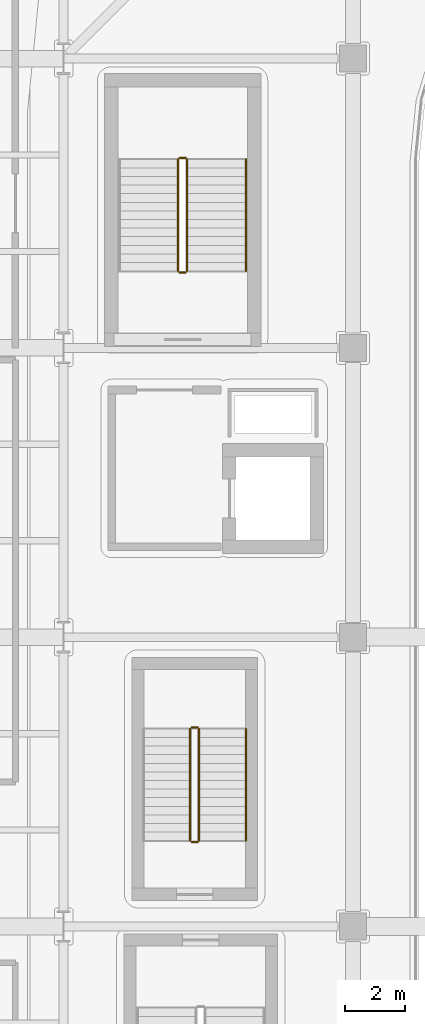
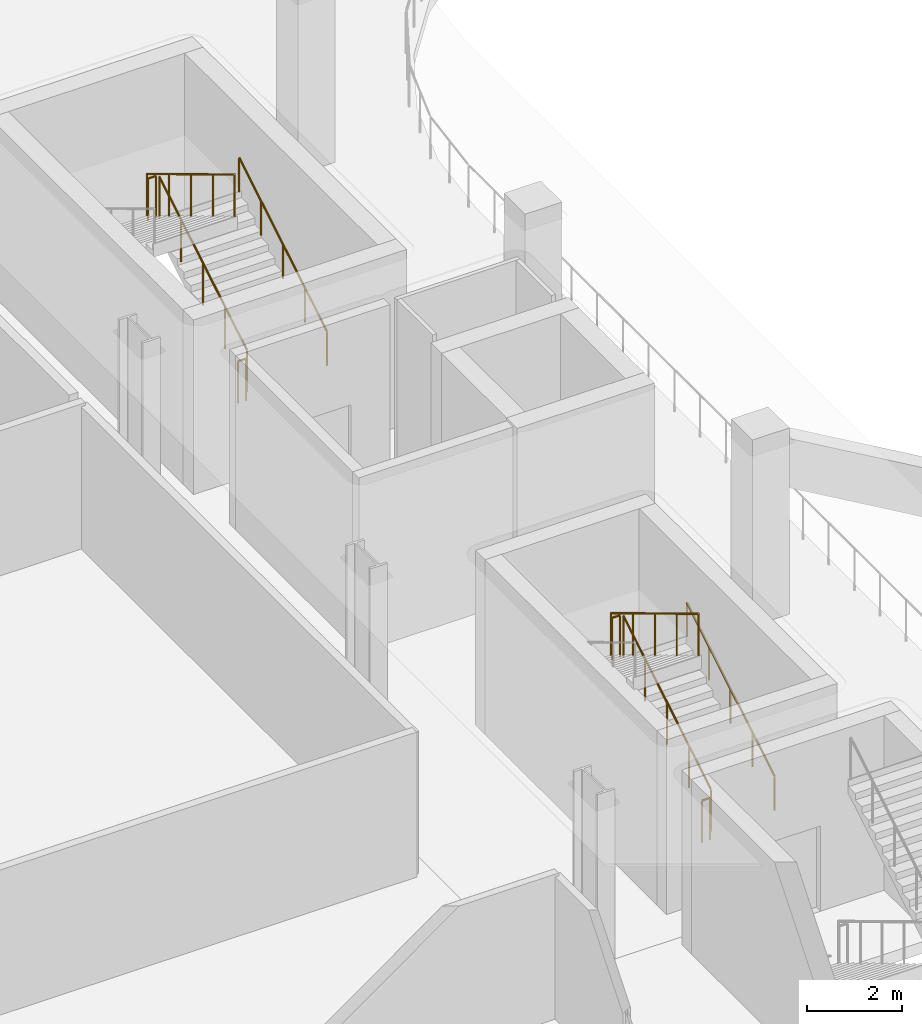
# One storey, part 83 of 100: 10 railings.
"""IFC4 building model written with IfcOpenShell, lengths in metres."""

from ifc_helpers import new_model, si_unit, direction, frame, origin, origin_2d, place, context, subcontext, project, spatial, circle, extrude, material, type_object, element, save


model = new_model("IFC4")

# Units and contexts
model_context = context("Model", 3, precision=1e-05, world=origin(), true_north=direction((0.0, 1.0)))
body_context = subcontext(model_context, "Body", "Model", "MODEL_VIEW")
ifc_project = project(units=[si_unit("LENGTHUNIT", "METRE"), si_unit("AREAUNIT", "SQUARE_METRE"), si_unit("VOLUMEUNIT", "CUBIC_METRE"), si_unit("PLANEANGLEUNIT", "RADIAN"), si_unit("MASSUNIT", "GRAM", prefix="KILO")], contexts=[model_context])

# Site, building, storey
site_placement = place(None, origin())
site = spatial("IfcSite", under=ifc_project, at=site_placement, CompositionType="ELEMENT")
building_placement = place(site_placement, origin())
building = spatial("IfcBuilding", under=site, at=building_placement, Name="Caelomonte Colonnade Arena", CompositionType="ELEMENT")
storey_placement = place(building_placement, origin())
storey = spatial("IfcBuildingStorey", under=building, at=storey_placement, Name="L00", CompositionType="ELEMENT", Elevation=0.0)

# Railings
ifc_material_1 = material(Name="Painted galvanized steel stair guard", Category="steel")
railing_type_1 = type_object("IfcRailingType", Name="INT-RL-GRD", PredefinedType="GUARDRAIL", material=ifc_material_1)
railing_1_placement = place(storey_placement, frame((61.699951171875, 88.949951171875, 0.17138671875)))
element("IfcRailing", 1, at=railing_1_placement, inside=storey, type_object=railing_type_1, Name="L00 ST-04 stair guard 1", PredefinedType="GUARDRAIL", context=body_context, shape_type="SweptSolid", body=[
    extrude(circle(Radius=0.02392578125, at=origin_2d()), frame((0.0, 0.0, 1.076171875), z_axis=(0.0, 0.856934400257, 0.515425487977), x_axis=(-1.0, 0.0, 0.0)), (0.0, 0.0, 1.0), 4.32373046875),
    extrude(circle(Radius=0.02099609375, at=origin_2d()), origin(), (0.0, 0.0, 1.0), 1.048095703125),
    extrude(circle(Radius=0.02099609375, at=origin_2d()), frame((0.0, 0.92626953125, 0.55712890625)), (0.0, 0.0, 1.0), 1.048095703125),
    extrude(circle(Radius=0.02099609375, at=origin_2d()), frame((0.0, 1.8525390625, 1.1142578125)), (0.0, 0.0, 1.0), 1.048095703125),
    extrude(circle(Radius=0.02099609375, at=origin_2d()), frame((0.0, 2.77880859375, 1.67138671875)), (0.0, 0.0, 1.0), 1.048095703125),
    extrude(circle(Radius=0.02099609375, at=origin_2d()), frame((0.0, 3.705078125, 2.228515625)), (0.0, 0.0, 1.0), 1.048095703125),
])
railing_2_placement = place(storey_placement, frame((61.64990234375, 92.705078125, 2.39990234375)))
element("IfcRailing", 2, at=railing_2_placement, inside=storey, type_object=railing_type_1, Name="L00 ST-04 stair guard 2", PredefinedType="GUARDRAIL", context=body_context, shape_type="SweptSolid", body=[
    extrude(circle(Radius=0.02392578125, at=origin_2d()), frame((0.0, 0.0, 1.076171875), z_axis=(-1.0, 0.0, 0.0), x_axis=(0.0, -1.0, 0.0)), (0.0, 0.0, 1.0), 0.199951171875),
    extrude(circle(Radius=0.02099609375, at=origin_2d()), origin(), (0.0, 0.0, 1.0), 1.048095703125),
    extrude(circle(Radius=0.02099609375, at=origin_2d()), frame((-0.199951171875, 0.0, 0.0)), (0.0, 0.0, 1.0), 1.048095703125),
])
railing_3_placement = place(storey_placement, frame((61.39990234375, 92.655029296875, 2.571533203125)))
element("IfcRailing", 3, at=railing_3_placement, inside=storey, type_object=railing_type_1, Name="L00 ST-04 stair guard 3", PredefinedType="GUARDRAIL", context=body_context, shape_type="SweptSolid", body=[
    extrude(circle(Radius=0.02392578125, at=origin_2d()), frame((0.0, 0.0, 1.076171875), z_axis=(0.0, -0.856934400257, 0.515425487977), x_axis=(1.0, 0.0, 0.0)), (0.0, 0.0, 1.0), 4.32373046875),
    extrude(circle(Radius=0.02099609375, at=origin_2d()), origin(), (0.0, 0.0, 1.0), 1.048095703125),
    extrude(circle(Radius=0.02099609375, at=origin_2d()), frame((0.0, -0.92626953125, 0.55712890625)), (0.0, 0.0, 1.0), 1.048095703125),
    extrude(circle(Radius=0.02099609375, at=origin_2d()), frame((0.0, -1.8525390625, 1.1142578125)), (0.0, 0.0, 1.0), 1.048095703125),
    extrude(circle(Radius=0.02099609375, at=origin_2d()), frame((0.0, -2.77880859375, 1.67138671875)), (0.0, 0.0, 1.0), 1.048095703125),
    extrude(circle(Radius=0.02099609375, at=origin_2d()), frame((0.0, -3.705078125, 2.228515625)), (0.0, 0.0, 1.0), 1.048095703125),
])
railing_4_placement = place(storey_placement, frame((61.64990234375, 88.89990234375, 0.0)))
element("IfcRailing", 4, at=railing_4_placement, inside=storey, type_object=railing_type_1, Name="L00 ST-04 stair guard 4", PredefinedType="GUARDRAIL", context=body_context, shape_type="SweptSolid", body=[
    extrude(circle(Radius=0.02392578125, at=origin_2d()), frame((0.0, 0.0, 1.076171875), z_axis=(-1.0, 0.0, 0.0), x_axis=(0.0, -1.0, 0.0)), (0.0, 0.0, 1.0), 0.199951171875),
    extrude(circle(Radius=0.02099609375, at=origin_2d()), origin(), (0.0, 0.0, 1.0), 1.048095703125),
    extrude(circle(Radius=0.02099609375, at=origin_2d()), frame((-0.199951171875, 0.0, 0.0)), (0.0, 0.0, 1.0), 1.048095703125),
])
railing_5_placement = place(storey_placement, frame((62.10009765625, 70.050048828125, 0.17138671875)))
element("IfcRailing", 5, at=railing_5_placement, inside=storey, type_object=railing_type_1, Name="L00 ST-V07 stair guard 1", PredefinedType="GUARDRAIL", context=body_context, shape_type="SweptSolid", body=[
    extrude(circle(Radius=0.02392578125, at=origin_2d()), frame((0.0, 0.0, 1.076171875), z_axis=(0.0, 0.856919398105, 0.515450429384), x_axis=(-1.0, 0.0, 0.0)), (0.0, 0.0, 1.0), 4.323486328125),
    extrude(circle(Radius=0.02099609375, at=origin_2d()), origin(), (0.0, 0.0, 1.0), 1.048095703125),
    extrude(circle(Radius=0.02099609375, at=origin_2d()), frame((0.0, 0.92626953125, 0.55712890625)), (0.0, 0.0, 1.0), 1.048095703125),
    extrude(circle(Radius=0.02099609375, at=origin_2d()), frame((0.0, 1.8525390625, 1.1142578125)), (0.0, 0.0, 1.0), 1.048095703125),
    extrude(circle(Radius=0.02099609375, at=origin_2d()), frame((0.0, 2.778564453125, 1.67138671875)), (0.0, 0.0, 1.0), 1.048095703125),
    extrude(circle(Radius=0.02099609375, at=origin_2d()), frame((0.0, 3.704833984375, 2.228515625)), (0.0, 0.0, 1.0), 1.048095703125),
])
railing_6_placement = place(storey_placement, frame((62.050048828125, 73.804931640625, 2.39990234375)))
element("IfcRailing", 6, at=railing_6_placement, inside=storey, type_object=railing_type_1, Name="L00 ST-V07 stair guard 2", PredefinedType="GUARDRAIL", context=body_context, shape_type="SweptSolid", body=[
    extrude(circle(Radius=0.02392578125, at=origin_2d()), frame((0.0, 0.0, 1.076171875), z_axis=(-1.0, 0.0, 0.0), x_axis=(0.0, -1.0, 0.0)), (0.0, 0.0, 1.0), 0.199951171875),
    extrude(circle(Radius=0.02099609375, at=origin_2d()), origin(), (0.0, 0.0, 1.0), 1.048095703125),
    extrude(circle(Radius=0.02099609375, at=origin_2d()), frame((-0.199951171875, 0.0, 0.0)), (0.0, 0.0, 1.0), 1.048095703125),
])
railing_7_placement = place(storey_placement, frame((61.800048828125, 73.7548828125, 2.571533203125)))
element("IfcRailing", 7, at=railing_7_placement, inside=storey, type_object=railing_type_1, Name="L00 ST-V07 stair guard 3", PredefinedType="GUARDRAIL", context=body_context, shape_type="SweptSolid", body=[
    extrude(circle(Radius=0.02392578125, at=origin_2d()), frame((0.0, 0.0, 1.076171875), z_axis=(0.0, -0.856919398105, 0.515450429384), x_axis=(1.0, 0.0, 0.0)), (0.0, 0.0, 1.0), 4.323486328125),
    extrude(circle(Radius=0.02099609375, at=origin_2d()), origin(), (0.0, 0.0, 1.0), 1.048095703125),
    extrude(circle(Radius=0.02099609375, at=origin_2d()), frame((0.0, -0.92626953125, 0.55712890625)), (0.0, 0.0, 1.0), 1.048095703125),
    extrude(circle(Radius=0.02099609375, at=origin_2d()), frame((0.0, -1.8525390625, 1.1142578125)), (0.0, 0.0, 1.0), 1.048095703125),
    extrude(circle(Radius=0.02099609375, at=origin_2d()), frame((0.0, -2.778564453125, 1.67138671875)), (0.0, 0.0, 1.0), 1.048095703125),
    extrude(circle(Radius=0.02099609375, at=origin_2d()), frame((0.0, -3.704833984375, 2.228515625)), (0.0, 0.0, 1.0), 1.048095703125),
])
railing_8_placement = place(storey_placement, frame((62.050048828125, 70.0, 0.0)))
element("IfcRailing", 8, at=railing_8_placement, inside=storey, type_object=railing_type_1, Name="L00 ST-V07 stair guard 4", PredefinedType="GUARDRAIL", context=body_context, shape_type="SweptSolid", body=[
    extrude(circle(Radius=0.02392578125, at=origin_2d()), frame((0.0, 0.0, 1.076171875), z_axis=(-1.0, 0.0, 0.0), x_axis=(0.0, -1.0, 0.0)), (0.0, 0.0, 1.0), 0.199951171875),
    extrude(circle(Radius=0.02099609375, at=origin_2d()), origin(), (0.0, 0.0, 1.0), 1.048095703125),
    extrude(circle(Radius=0.02099609375, at=origin_2d()), frame((-0.199951171875, 0.0, 0.0)), (0.0, 0.0, 1.0), 1.048095703125),
])
ifc_material_2 = material(Name="Brushed stainless steel stair handrail", Category="steel")
railing_type_2 = type_object("IfcRailingType", Name="INT-RL-HR", PredefinedType="HANDRAIL", material=ifc_material_2)
railing_9_placement = place(storey_placement, frame((63.64990234375, 88.949951171875, 0.17138671875)))
element("IfcRailing", 9, at=railing_9_placement, inside=storey, type_object=railing_type_2, Name="L00 ST-04 stair handrail 1", PredefinedType="HANDRAIL", context=body_context, shape_type="SweptSolid", body=[
    extrude(circle(Radius=0.02392578125, at=origin_2d()), frame((0.0, 0.0, 0.8759765625), z_axis=(0.0, 0.856934400257, 0.515425487977), x_axis=(-1.0, 0.0, 0.0)), (0.0, 0.0, 1.0), 4.32373046875),
    extrude(circle(Radius=0.02099609375, at=origin_2d()), origin(), (0.0, 0.0, 1.0), 0.847900390625),
    extrude(circle(Radius=0.02099609375, at=origin_2d()), frame((0.0, 0.92626953125, 0.55712890625)), (0.0, 0.0, 1.0), 0.847900390625),
    extrude(circle(Radius=0.02099609375, at=origin_2d()), frame((0.0, 1.8525390625, 1.1142578125)), (0.0, 0.0, 1.0), 0.847900390625),
    extrude(circle(Radius=0.02099609375, at=origin_2d()), frame((0.0, 2.77880859375, 1.67138671875)), (0.0, 0.0, 1.0), 0.847900390625),
    extrude(circle(Radius=0.02099609375, at=origin_2d()), frame((0.0, 3.705078125, 2.228515625)), (0.0, 0.0, 1.0), 0.847900390625),
])
railing_10_placement = place(storey_placement, frame((63.64990234375, 70.050048828125, 0.17138671875)))
element("IfcRailing", 10, at=railing_10_placement, inside=storey, type_object=railing_type_2, Name="L00 ST-V07 stair handrail 1", PredefinedType="HANDRAIL", context=body_context, shape_type="SweptSolid", body=[
    extrude(circle(Radius=0.02392578125, at=origin_2d()), frame((0.0, 0.0, 0.8759765625), z_axis=(0.0, 0.856919398105, 0.515450429384), x_axis=(-1.0, 0.0, 0.0)), (0.0, 0.0, 1.0), 4.323486328125),
    extrude(circle(Radius=0.02099609375, at=origin_2d()), origin(), (0.0, 0.0, 1.0), 0.847900390625),
    extrude(circle(Radius=0.02099609375, at=origin_2d()), frame((0.0, 0.92626953125, 0.55712890625)), (0.0, 0.0, 1.0), 0.847900390625),
    extrude(circle(Radius=0.02099609375, at=origin_2d()), frame((0.0, 1.8525390625, 1.1142578125)), (0.0, 0.0, 1.0), 0.847900390625),
    extrude(circle(Radius=0.02099609375, at=origin_2d()), frame((0.0, 2.778564453125, 1.67138671875)), (0.0, 0.0, 1.0), 0.847900390625),
    extrude(circle(Radius=0.02099609375, at=origin_2d()), frame((0.0, 3.704833984375, 2.228515625)), (0.0, 0.0, 1.0), 0.847900390625),
])

save(model, "model.ifc")
